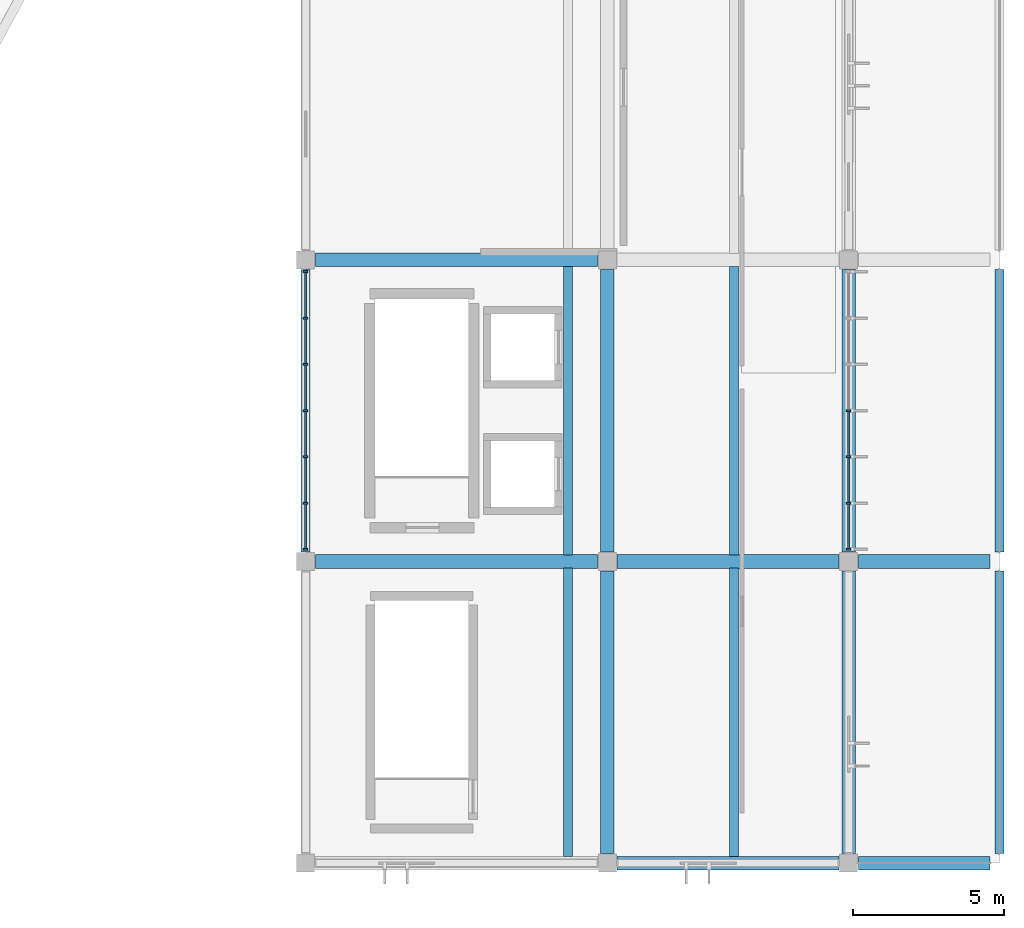
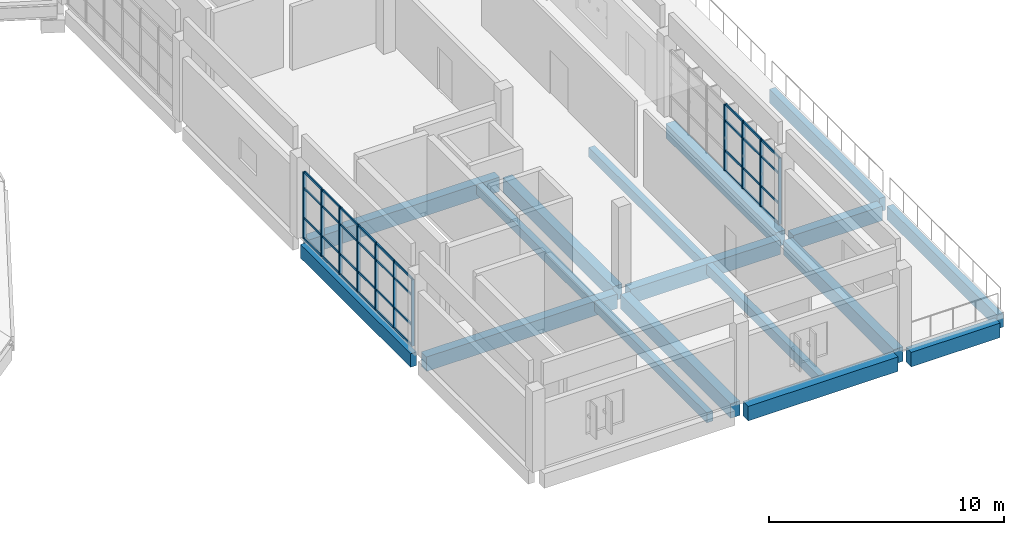
# One storey, part 8 of 39: 47 members, 17 beams, 2 elements without a shape of their own.
"""IFC4 building model written with IfcOpenShell, lengths in metres."""

from ifc_helpers import new_model, si_unit, direction, frame, origin, origin_2d, place, context, subcontext, project, spatial, rectangle, extrude, material, layer, layer_set, material_profile, profile_set, type_object, element, aggregate, save


model = new_model("IFC4")

# Units and contexts
model_context = context("Model", 3, precision=1e-05, world=origin(), true_north=direction((0.0, 1.0)))
body_context = subcontext(model_context, "Body", "Model", "MODEL_VIEW")
ifc_project = project(units=[si_unit("LENGTHUNIT", "METRE"), si_unit("AREAUNIT", "SQUARE_METRE"), si_unit("VOLUMEUNIT", "CUBIC_METRE"), si_unit("PLANEANGLEUNIT", "RADIAN"), si_unit("MASSUNIT", "GRAM", prefix="KILO")], contexts=[model_context])

# Site, building, storey
site_placement = place(None, origin())
site = spatial("IfcSite", under=ifc_project, at=site_placement, CompositionType="ELEMENT")
building_placement = place(site_placement, origin())
building = spatial("IfcBuilding", under=site, at=building_placement, Name="Corvandel Quay Wholesale Market", CompositionType="ELEMENT")
storey_placement = place(building_placement, frame((0.0, 0.0, 15.0)))
storey = spatial("IfcBuildingStorey", under=building, at=storey_placement, Name="L03", CompositionType="ELEMENT", Elevation=15.0)

# Curtain wall, members
ifc_material_1 = material(Name="Bronze anodised aluminium and low-E insulated glazing", Category="aluminium")
ifc_layer_1 = layer(ifc_material_1, 0.197998046875)
ifc_layer_set_1 = layer_set([ifc_layer_1], Name="Bronze anodised aluminium and low-E insulated glazing")
curtain_wall_type_1 = type_object("IfcCurtainWallType", Name="Stick Curtain Wall System CW14 H4260", PredefinedType="NOTDEFINED", material=ifc_layer_set_1)
curtain_wall_1_placement = place(storey_placement, origin())
curtain_wall_1 = element("IfcCurtainWall", 1, at=curtain_wall_1_placement, inside=storey, type_object=curtain_wall_type_1, Name="Curtain Wall CW-0162", PredefinedType="NOTDEFINED")
ifc_material_2 = material(Name="Anodised aluminium 6063-T6", Category="aluminium")
ifc_material_profile_1 = material_profile(ifc_material_2, rectangle(XDim=0.06494140625, YDim=0.14990234375, at=origin_2d()), Name="ALU-MUL-65x150")
ifc_profile_set_1 = profile_set([ifc_material_profile_1], Name="Anodised aluminium 6063-T6")
member_type_1 = type_object("IfcMemberType", Name="Curtain Wall Mullion ML02 65x150", PredefinedType="MULLION", material=ifc_profile_set_1)
member_1_placement = place(storey_placement, frame((238.0, 20.39990234375, 0.0), z_axis=(0.0, 0.0, 1.0), x_axis=(0.0, 1.0, 0.0)))
member_1 = element("IfcMember", 2, at=member_1_placement, type_object=member_type_1, Name="Mullion CW-0162-M00", PredefinedType="MULLION", context=body_context, shape_type="SweptSolid", body=[
    extrude(rectangle(XDim=0.06494140625, YDim=0.14990234375, at=origin_2d()), origin(), (0.0, 0.0, 1.0), 3.449951171875),
])
member_2_placement = place(storey_placement, frame((238.0, 21.933349609375, 0.0), z_axis=(0.0, 0.0, 1.0), x_axis=(0.0, 1.0, 0.0)))
member_2 = element("IfcMember", 3, at=member_2_placement, type_object=member_type_1, Name="Mullion CW-0162-M01", PredefinedType="MULLION", context=body_context, shape_type="SweptSolid", body=[
    extrude(rectangle(XDim=0.06494140625, YDim=0.14990234375, at=origin_2d()), origin(), (0.0, 0.0, 1.0), 3.449951171875),
])
member_3_placement = place(storey_placement, frame((238.0, 23.466796875, 0.0), z_axis=(0.0, 0.0, 1.0), x_axis=(0.0, 1.0, 0.0)))
member_3 = element("IfcMember", 4, at=member_3_placement, type_object=member_type_1, Name="Mullion CW-0162-M02", PredefinedType="MULLION", context=body_context, shape_type="SweptSolid", body=[
    extrude(rectangle(XDim=0.06494140625, YDim=0.14990234375, at=origin_2d()), origin(), (0.0, 0.0, 1.0), 3.449951171875),
])
member_4_placement = place(storey_placement, frame((238.0, 25.0, 0.0), z_axis=(0.0, 0.0, 1.0), x_axis=(0.0, 1.0, 0.0)))
member_4 = element("IfcMember", 5, at=member_4_placement, type_object=member_type_1, Name="Mullion CW-0162-M03", PredefinedType="MULLION", context=body_context, shape_type="SweptSolid", body=[
    extrude(rectangle(XDim=0.06494140625, YDim=0.14990234375, at=origin_2d()), origin(), (0.0, 0.0, 1.0), 3.449951171875),
])

ifc_layer_2 = layer(ifc_material_1, 0.14990234375)
ifc_layer_set_2 = layer_set([ifc_layer_2], Name="Bronze anodised aluminium and low-E insulated glazing")
curtain_wall_type_2 = type_object("IfcCurtainWallType", Name="Stick Curtain Wall System CW20 H4800", PredefinedType="NOTDEFINED", material=ifc_layer_set_2)
curtain_wall_2_placement = place(storey_placement, origin())
curtain_wall_2 = element("IfcCurtainWall", 6, at=curtain_wall_2_placement, inside=storey, type_object=curtain_wall_type_2, Name="Curtain Wall CW-0163", PredefinedType="NOTDEFINED")
member_5_placement = place(storey_placement, frame((220.0, 20.39990234375, 0.0), z_axis=(0.0, 0.0, 1.0), x_axis=(0.0, 1.0, 0.0)))
member_5 = element("IfcMember", 7, at=member_5_placement, type_object=member_type_1, Name="Mullion CW-0163-M00", PredefinedType="MULLION", context=body_context, shape_type="SweptSolid", body=[
    extrude(rectangle(XDim=0.06494140625, YDim=0.14990234375, at=origin_2d()), origin(), (0.0, 0.0, 1.0), 3.449951171875),
])
member_6_placement = place(storey_placement, frame((220.0, 21.933349609375, 0.0), z_axis=(0.0, 0.0, 1.0), x_axis=(0.0, 1.0, 0.0)))
member_6 = element("IfcMember", 8, at=member_6_placement, type_object=member_type_1, Name="Mullion CW-0163-M01", PredefinedType="MULLION", context=body_context, shape_type="SweptSolid", body=[
    extrude(rectangle(XDim=0.06494140625, YDim=0.14990234375, at=origin_2d()), origin(), (0.0, 0.0, 1.0), 3.449951171875),
])
member_7_placement = place(storey_placement, frame((220.0, 23.466796875, 0.0), z_axis=(0.0, 0.0, 1.0), x_axis=(0.0, 1.0, 0.0)))
member_7 = element("IfcMember", 9, at=member_7_placement, type_object=member_type_1, Name="Mullion CW-0163-M02", PredefinedType="MULLION", context=body_context, shape_type="SweptSolid", body=[
    extrude(rectangle(XDim=0.06494140625, YDim=0.14990234375, at=origin_2d()), origin(), (0.0, 0.0, 1.0), 3.449951171875),
])
member_8_placement = place(storey_placement, frame((220.0, 25.0, 0.0), z_axis=(0.0, 0.0, 1.0), x_axis=(0.0, 1.0, 0.0)))
member_8 = element("IfcMember", 10, at=member_8_placement, type_object=member_type_1, Name="Mullion CW-0163-M03", PredefinedType="MULLION", context=body_context, shape_type="SweptSolid", body=[
    extrude(rectangle(XDim=0.06494140625, YDim=0.14990234375, at=origin_2d()), origin(), (0.0, 0.0, 1.0), 3.449951171875),
])
member_9_placement = place(storey_placement, frame((220.0, 26.533203125, 0.0), z_axis=(0.0, 0.0, 1.0), x_axis=(0.0, 1.0, 0.0)))
member_9 = element("IfcMember", 11, at=member_9_placement, type_object=member_type_1, Name="Mullion CW-0163-M04", PredefinedType="MULLION", context=body_context, shape_type="SweptSolid", body=[
    extrude(rectangle(XDim=0.06494140625, YDim=0.14990234375, at=origin_2d()), origin(), (0.0, 0.0, 1.0), 3.449951171875),
])
member_10_placement = place(storey_placement, frame((220.0, 28.066650390625, 0.0), z_axis=(0.0, 0.0, 1.0), x_axis=(0.0, 1.0, 0.0)))
member_10 = element("IfcMember", 12, at=member_10_placement, type_object=member_type_1, Name="Mullion CW-0163-M05", PredefinedType="MULLION", context=body_context, shape_type="SweptSolid", body=[
    extrude(rectangle(XDim=0.06494140625, YDim=0.14990234375, at=origin_2d()), origin(), (0.0, 0.0, 1.0), 3.449951171875),
])
member_11_placement = place(storey_placement, frame((220.0, 29.60009765625, 0.0), z_axis=(0.0, 0.0, 1.0), x_axis=(0.0, 1.0, 0.0)))
member_11 = element("IfcMember", 13, at=member_11_placement, type_object=member_type_1, Name="Mullion CW-0163-M06", PredefinedType="MULLION", context=body_context, shape_type="SweptSolid", body=[
    extrude(rectangle(XDim=0.06494140625, YDim=0.14990234375, at=origin_2d()), origin(), (0.0, 0.0, 1.0), 3.449951171875),
])

# Member
ifc_material_profile_2 = material_profile(ifc_material_2, rectangle(XDim=0.06005859375, YDim=0.110107421875, at=origin_2d()), Name="ALU-TRN-60x110")
ifc_profile_set_2 = profile_set([ifc_material_profile_2], Name="Anodised aluminium 6063-T6")
member_type_2 = type_object("IfcMemberType", Name="Curtain Wall Transom TR02 60x110", PredefinedType="USERDEFINED", material=ifc_profile_set_2)
member_12_placement = place(storey_placement, frame((238.0, 20.4326171875, 0.0), z_axis=(0.0, 1.0, 0.0), x_axis=(-1.0, 0.0, 0.0)))
member_12 = element("IfcMember", 14, at=member_12_placement, type_object=member_type_2, Name="Transom CW-0162-T00-0", ObjectType="TRANSOM", PredefinedType="USERDEFINED", context=body_context, shape_type="SweptSolid", body=[
    extrude(rectangle(XDim=0.06005859375, YDim=0.110107421875, at=origin_2d()), origin(), (0.0, 0.0, 1.0), 1.46826171875),
])

member_13_placement = place(storey_placement, frame((238.0, 20.4326171875, 1.050048828125), z_axis=(0.0, 1.0, 0.0), x_axis=(-1.0, 0.0, 0.0)))
member_13 = element("IfcMember", 15, at=member_13_placement, type_object=member_type_2, Name="Transom CW-0162-T00-1", ObjectType="TRANSOM", PredefinedType="USERDEFINED", context=body_context, shape_type="SweptSolid", body=[
    extrude(rectangle(XDim=0.06005859375, YDim=0.110107421875, at=origin_2d()), origin(), (0.0, 0.0, 1.0), 1.46826171875),
])

member_14_placement = place(storey_placement, frame((238.0, 20.4326171875, 2.60009765625), z_axis=(0.0, 1.0, 0.0), x_axis=(-1.0, 0.0, 0.0)))
member_14 = element("IfcMember", 16, at=member_14_placement, type_object=member_type_2, Name="Transom CW-0162-T00-2", ObjectType="TRANSOM", PredefinedType="USERDEFINED", context=body_context, shape_type="SweptSolid", body=[
    extrude(rectangle(XDim=0.06005859375, YDim=0.110107421875, at=origin_2d()), origin(), (0.0, 0.0, 1.0), 1.46826171875),
])

member_15_placement = place(storey_placement, frame((238.0, 20.4326171875, 3.449951171875), z_axis=(0.0, 1.0, 0.0), x_axis=(-1.0, 0.0, 0.0)))
member_15 = element("IfcMember", 17, at=member_15_placement, type_object=member_type_2, Name="Transom CW-0162-T00-3", ObjectType="TRANSOM", PredefinedType="USERDEFINED", context=body_context, shape_type="SweptSolid", body=[
    extrude(rectangle(XDim=0.06005859375, YDim=0.110107421875, at=origin_2d()), origin(), (0.0, 0.0, 1.0), 1.46826171875),
])

member_16_placement = place(storey_placement, frame((238.0, 21.9658203125, 0.0), z_axis=(0.0, 1.0, 0.0), x_axis=(-1.0, 0.0, 0.0)))
member_16 = element("IfcMember", 18, at=member_16_placement, type_object=member_type_2, Name="Transom CW-0162-T01-0", ObjectType="TRANSOM", PredefinedType="USERDEFINED", context=body_context, shape_type="SweptSolid", body=[
    extrude(rectangle(XDim=0.06005859375, YDim=0.110107421875, at=origin_2d()), origin(), (0.0, 0.0, 1.0), 1.46826171875),
])

member_17_placement = place(storey_placement, frame((238.0, 21.9658203125, 1.050048828125), z_axis=(0.0, 1.0, 0.0), x_axis=(-1.0, 0.0, 0.0)))
member_17 = element("IfcMember", 19, at=member_17_placement, type_object=member_type_2, Name="Transom CW-0162-T01-1", ObjectType="TRANSOM", PredefinedType="USERDEFINED", context=body_context, shape_type="SweptSolid", body=[
    extrude(rectangle(XDim=0.06005859375, YDim=0.110107421875, at=origin_2d()), origin(), (0.0, 0.0, 1.0), 1.46826171875),
])

member_18_placement = place(storey_placement, frame((238.0, 21.9658203125, 2.60009765625), z_axis=(0.0, 1.0, 0.0), x_axis=(-1.0, 0.0, 0.0)))
member_18 = element("IfcMember", 20, at=member_18_placement, type_object=member_type_2, Name="Transom CW-0162-T01-2", ObjectType="TRANSOM", PredefinedType="USERDEFINED", context=body_context, shape_type="SweptSolid", body=[
    extrude(rectangle(XDim=0.06005859375, YDim=0.110107421875, at=origin_2d()), origin(), (0.0, 0.0, 1.0), 1.46826171875),
])

member_19_placement = place(storey_placement, frame((238.0, 21.9658203125, 3.449951171875), z_axis=(0.0, 1.0, 0.0), x_axis=(-1.0, 0.0, 0.0)))
member_19 = element("IfcMember", 21, at=member_19_placement, type_object=member_type_2, Name="Transom CW-0162-T01-3", ObjectType="TRANSOM", PredefinedType="USERDEFINED", context=body_context, shape_type="SweptSolid", body=[
    extrude(rectangle(XDim=0.06005859375, YDim=0.110107421875, at=origin_2d()), origin(), (0.0, 0.0, 1.0), 1.46826171875),
])

member_20_placement = place(storey_placement, frame((238.0, 23.499267578125, 0.0), z_axis=(0.0, 1.0, 0.0), x_axis=(-1.0, 0.0, 0.0)))
member_20 = element("IfcMember", 22, at=member_20_placement, type_object=member_type_2, Name="Transom CW-0162-T02-0", ObjectType="TRANSOM", PredefinedType="USERDEFINED", context=body_context, shape_type="SweptSolid", body=[
    extrude(rectangle(XDim=0.06005859375, YDim=0.110107421875, at=origin_2d()), origin(), (0.0, 0.0, 1.0), 1.46826171875),
])

member_21_placement = place(storey_placement, frame((238.0, 23.499267578125, 1.050048828125), z_axis=(0.0, 1.0, 0.0), x_axis=(-1.0, 0.0, 0.0)))
member_21 = element("IfcMember", 23, at=member_21_placement, type_object=member_type_2, Name="Transom CW-0162-T02-1", ObjectType="TRANSOM", PredefinedType="USERDEFINED", context=body_context, shape_type="SweptSolid", body=[
    extrude(rectangle(XDim=0.06005859375, YDim=0.110107421875, at=origin_2d()), origin(), (0.0, 0.0, 1.0), 1.46826171875),
])

member_22_placement = place(storey_placement, frame((238.0, 23.499267578125, 2.60009765625), z_axis=(0.0, 1.0, 0.0), x_axis=(-1.0, 0.0, 0.0)))
member_22 = element("IfcMember", 24, at=member_22_placement, type_object=member_type_2, Name="Transom CW-0162-T02-2", ObjectType="TRANSOM", PredefinedType="USERDEFINED", context=body_context, shape_type="SweptSolid", body=[
    extrude(rectangle(XDim=0.06005859375, YDim=0.110107421875, at=origin_2d()), origin(), (0.0, 0.0, 1.0), 1.46826171875),
])

member_23_placement = place(storey_placement, frame((238.0, 23.499267578125, 3.449951171875), z_axis=(0.0, 1.0, 0.0), x_axis=(-1.0, 0.0, 0.0)))
member_23 = element("IfcMember", 25, at=member_23_placement, type_object=member_type_2, Name="Transom CW-0162-T02-3", ObjectType="TRANSOM", PredefinedType="USERDEFINED", context=body_context, shape_type="SweptSolid", body=[
    extrude(rectangle(XDim=0.06005859375, YDim=0.110107421875, at=origin_2d()), origin(), (0.0, 0.0, 1.0), 1.46826171875),
])

aggregate(curtain_wall_1, [member_1, member_2, member_3, member_4, member_12, member_13, member_14, member_15, member_16, member_17, member_18, member_19, member_20, member_21, member_22, member_23])

member_24_placement = place(storey_placement, frame((220.0, 20.4326171875, 0.0), z_axis=(0.0, 1.0, 0.0), x_axis=(-1.0, 0.0, 0.0)))
member_24 = element("IfcMember", 26, at=member_24_placement, type_object=member_type_2, Name="Transom CW-0163-T00-0", ObjectType="TRANSOM", PredefinedType="USERDEFINED", context=body_context, shape_type="SweptSolid", body=[
    extrude(rectangle(XDim=0.06005859375, YDim=0.110107421875, at=origin_2d()), origin(), (0.0, 0.0, 1.0), 1.46826171875),
])

member_25_placement = place(storey_placement, frame((220.0, 20.4326171875, 1.050048828125), z_axis=(0.0, 1.0, 0.0), x_axis=(-1.0, 0.0, 0.0)))
member_25 = element("IfcMember", 27, at=member_25_placement, type_object=member_type_2, Name="Transom CW-0163-T00-1", ObjectType="TRANSOM", PredefinedType="USERDEFINED", context=body_context, shape_type="SweptSolid", body=[
    extrude(rectangle(XDim=0.06005859375, YDim=0.110107421875, at=origin_2d()), origin(), (0.0, 0.0, 1.0), 1.46826171875),
])

member_26_placement = place(storey_placement, frame((220.0, 20.4326171875, 2.60009765625), z_axis=(0.0, 1.0, 0.0), x_axis=(-1.0, 0.0, 0.0)))
member_26 = element("IfcMember", 28, at=member_26_placement, type_object=member_type_2, Name="Transom CW-0163-T00-2", ObjectType="TRANSOM", PredefinedType="USERDEFINED", context=body_context, shape_type="SweptSolid", body=[
    extrude(rectangle(XDim=0.06005859375, YDim=0.110107421875, at=origin_2d()), origin(), (0.0, 0.0, 1.0), 1.46826171875),
])

member_27_placement = place(storey_placement, frame((220.0, 20.4326171875, 3.449951171875), z_axis=(0.0, 1.0, 0.0), x_axis=(-1.0, 0.0, 0.0)))
member_27 = element("IfcMember", 29, at=member_27_placement, type_object=member_type_2, Name="Transom CW-0163-T00-3", ObjectType="TRANSOM", PredefinedType="USERDEFINED", context=body_context, shape_type="SweptSolid", body=[
    extrude(rectangle(XDim=0.06005859375, YDim=0.110107421875, at=origin_2d()), origin(), (0.0, 0.0, 1.0), 1.46826171875),
])

member_28_placement = place(storey_placement, frame((220.0, 21.9658203125, 0.0), z_axis=(0.0, 1.0, 0.0), x_axis=(-1.0, 0.0, 0.0)))
member_28 = element("IfcMember", 30, at=member_28_placement, type_object=member_type_2, Name="Transom CW-0163-T01-0", ObjectType="TRANSOM", PredefinedType="USERDEFINED", context=body_context, shape_type="SweptSolid", body=[
    extrude(rectangle(XDim=0.06005859375, YDim=0.110107421875, at=origin_2d()), origin(), (0.0, 0.0, 1.0), 1.46826171875),
])

member_29_placement = place(storey_placement, frame((220.0, 21.9658203125, 1.050048828125), z_axis=(0.0, 1.0, 0.0), x_axis=(-1.0, 0.0, 0.0)))
member_29 = element("IfcMember", 31, at=member_29_placement, type_object=member_type_2, Name="Transom CW-0163-T01-1", ObjectType="TRANSOM", PredefinedType="USERDEFINED", context=body_context, shape_type="SweptSolid", body=[
    extrude(rectangle(XDim=0.06005859375, YDim=0.110107421875, at=origin_2d()), origin(), (0.0, 0.0, 1.0), 1.46826171875),
])

member_30_placement = place(storey_placement, frame((220.0, 21.9658203125, 2.60009765625), z_axis=(0.0, 1.0, 0.0), x_axis=(-1.0, 0.0, 0.0)))
member_30 = element("IfcMember", 32, at=member_30_placement, type_object=member_type_2, Name="Transom CW-0163-T01-2", ObjectType="TRANSOM", PredefinedType="USERDEFINED", context=body_context, shape_type="SweptSolid", body=[
    extrude(rectangle(XDim=0.06005859375, YDim=0.110107421875, at=origin_2d()), origin(), (0.0, 0.0, 1.0), 1.46826171875),
])

member_31_placement = place(storey_placement, frame((220.0, 21.9658203125, 3.449951171875), z_axis=(0.0, 1.0, 0.0), x_axis=(-1.0, 0.0, 0.0)))
member_31 = element("IfcMember", 33, at=member_31_placement, type_object=member_type_2, Name="Transom CW-0163-T01-3", ObjectType="TRANSOM", PredefinedType="USERDEFINED", context=body_context, shape_type="SweptSolid", body=[
    extrude(rectangle(XDim=0.06005859375, YDim=0.110107421875, at=origin_2d()), origin(), (0.0, 0.0, 1.0), 1.46826171875),
])

member_32_placement = place(storey_placement, frame((220.0, 23.499267578125, 0.0), z_axis=(0.0, 1.0, 0.0), x_axis=(-1.0, 0.0, 0.0)))
member_32 = element("IfcMember", 34, at=member_32_placement, type_object=member_type_2, Name="Transom CW-0163-T02-0", ObjectType="TRANSOM", PredefinedType="USERDEFINED", context=body_context, shape_type="SweptSolid", body=[
    extrude(rectangle(XDim=0.06005859375, YDim=0.110107421875, at=origin_2d()), origin(), (0.0, 0.0, 1.0), 1.46826171875),
])

member_33_placement = place(storey_placement, frame((220.0, 23.499267578125, 1.050048828125), z_axis=(0.0, 1.0, 0.0), x_axis=(-1.0, 0.0, 0.0)))
member_33 = element("IfcMember", 35, at=member_33_placement, type_object=member_type_2, Name="Transom CW-0163-T02-1", ObjectType="TRANSOM", PredefinedType="USERDEFINED", context=body_context, shape_type="SweptSolid", body=[
    extrude(rectangle(XDim=0.06005859375, YDim=0.110107421875, at=origin_2d()), origin(), (0.0, 0.0, 1.0), 1.46826171875),
])

member_34_placement = place(storey_placement, frame((220.0, 23.499267578125, 2.60009765625), z_axis=(0.0, 1.0, 0.0), x_axis=(-1.0, 0.0, 0.0)))
member_34 = element("IfcMember", 36, at=member_34_placement, type_object=member_type_2, Name="Transom CW-0163-T02-2", ObjectType="TRANSOM", PredefinedType="USERDEFINED", context=body_context, shape_type="SweptSolid", body=[
    extrude(rectangle(XDim=0.06005859375, YDim=0.110107421875, at=origin_2d()), origin(), (0.0, 0.0, 1.0), 1.46826171875),
])

member_35_placement = place(storey_placement, frame((220.0, 23.499267578125, 3.449951171875), z_axis=(0.0, 1.0, 0.0), x_axis=(-1.0, 0.0, 0.0)))
member_35 = element("IfcMember", 37, at=member_35_placement, type_object=member_type_2, Name="Transom CW-0163-T02-3", ObjectType="TRANSOM", PredefinedType="USERDEFINED", context=body_context, shape_type="SweptSolid", body=[
    extrude(rectangle(XDim=0.06005859375, YDim=0.110107421875, at=origin_2d()), origin(), (0.0, 0.0, 1.0), 1.46826171875),
])

member_36_placement = place(storey_placement, frame((220.0, 25.032470703125, 0.0), z_axis=(0.0, 1.0, 0.0), x_axis=(-1.0, 0.0, 0.0)))
member_36 = element("IfcMember", 38, at=member_36_placement, type_object=member_type_2, Name="Transom CW-0163-T03-0", ObjectType="TRANSOM", PredefinedType="USERDEFINED", context=body_context, shape_type="SweptSolid", body=[
    extrude(rectangle(XDim=0.06005859375, YDim=0.110107421875, at=origin_2d()), origin(), (0.0, 0.0, 1.0), 1.46826171875),
])

member_37_placement = place(storey_placement, frame((220.0, 25.032470703125, 1.050048828125), z_axis=(0.0, 1.0, 0.0), x_axis=(-1.0, 0.0, 0.0)))
member_37 = element("IfcMember", 39, at=member_37_placement, type_object=member_type_2, Name="Transom CW-0163-T03-1", ObjectType="TRANSOM", PredefinedType="USERDEFINED", context=body_context, shape_type="SweptSolid", body=[
    extrude(rectangle(XDim=0.06005859375, YDim=0.110107421875, at=origin_2d()), origin(), (0.0, 0.0, 1.0), 1.46826171875),
])

member_38_placement = place(storey_placement, frame((220.0, 25.032470703125, 2.60009765625), z_axis=(0.0, 1.0, 0.0), x_axis=(-1.0, 0.0, 0.0)))
member_38 = element("IfcMember", 40, at=member_38_placement, type_object=member_type_2, Name="Transom CW-0163-T03-2", ObjectType="TRANSOM", PredefinedType="USERDEFINED", context=body_context, shape_type="SweptSolid", body=[
    extrude(rectangle(XDim=0.06005859375, YDim=0.110107421875, at=origin_2d()), origin(), (0.0, 0.0, 1.0), 1.46826171875),
])

member_39_placement = place(storey_placement, frame((220.0, 25.032470703125, 3.449951171875), z_axis=(0.0, 1.0, 0.0), x_axis=(-1.0, 0.0, 0.0)))
member_39 = element("IfcMember", 41, at=member_39_placement, type_object=member_type_2, Name="Transom CW-0163-T03-3", ObjectType="TRANSOM", PredefinedType="USERDEFINED", context=body_context, shape_type="SweptSolid", body=[
    extrude(rectangle(XDim=0.06005859375, YDim=0.110107421875, at=origin_2d()), origin(), (0.0, 0.0, 1.0), 1.46826171875),
])

member_40_placement = place(storey_placement, frame((220.0, 26.56591796875, 0.0), z_axis=(0.0, 1.0, 0.0), x_axis=(-1.0, 0.0, 0.0)))
member_40 = element("IfcMember", 42, at=member_40_placement, type_object=member_type_2, Name="Transom CW-0163-T04-0", ObjectType="TRANSOM", PredefinedType="USERDEFINED", context=body_context, shape_type="SweptSolid", body=[
    extrude(rectangle(XDim=0.06005859375, YDim=0.110107421875, at=origin_2d()), origin(), (0.0, 0.0, 1.0), 1.46826171875),
])

member_41_placement = place(storey_placement, frame((220.0, 26.56591796875, 1.050048828125), z_axis=(0.0, 1.0, 0.0), x_axis=(-1.0, 0.0, 0.0)))
member_41 = element("IfcMember", 43, at=member_41_placement, type_object=member_type_2, Name="Transom CW-0163-T04-1", ObjectType="TRANSOM", PredefinedType="USERDEFINED", context=body_context, shape_type="SweptSolid", body=[
    extrude(rectangle(XDim=0.06005859375, YDim=0.110107421875, at=origin_2d()), origin(), (0.0, 0.0, 1.0), 1.46826171875),
])

member_42_placement = place(storey_placement, frame((220.0, 26.56591796875, 2.60009765625), z_axis=(0.0, 1.0, 0.0), x_axis=(-1.0, 0.0, 0.0)))
member_42 = element("IfcMember", 44, at=member_42_placement, type_object=member_type_2, Name="Transom CW-0163-T04-2", ObjectType="TRANSOM", PredefinedType="USERDEFINED", context=body_context, shape_type="SweptSolid", body=[
    extrude(rectangle(XDim=0.06005859375, YDim=0.110107421875, at=origin_2d()), origin(), (0.0, 0.0, 1.0), 1.46826171875),
])

member_43_placement = place(storey_placement, frame((220.0, 26.56591796875, 3.449951171875), z_axis=(0.0, 1.0, 0.0), x_axis=(-1.0, 0.0, 0.0)))
member_43 = element("IfcMember", 45, at=member_43_placement, type_object=member_type_2, Name="Transom CW-0163-T04-3", ObjectType="TRANSOM", PredefinedType="USERDEFINED", context=body_context, shape_type="SweptSolid", body=[
    extrude(rectangle(XDim=0.06005859375, YDim=0.110107421875, at=origin_2d()), origin(), (0.0, 0.0, 1.0), 1.46826171875),
])

member_44_placement = place(storey_placement, frame((220.0, 28.09912109375, 0.0), z_axis=(0.0, 1.0, 0.0), x_axis=(-1.0, 0.0, 0.0)))
member_44 = element("IfcMember", 46, at=member_44_placement, type_object=member_type_2, Name="Transom CW-0163-T05-0", ObjectType="TRANSOM", PredefinedType="USERDEFINED", context=body_context, shape_type="SweptSolid", body=[
    extrude(rectangle(XDim=0.06005859375, YDim=0.110107421875, at=origin_2d()), origin(), (0.0, 0.0, 1.0), 1.46826171875),
])

member_45_placement = place(storey_placement, frame((220.0, 28.09912109375, 1.050048828125), z_axis=(0.0, 1.0, 0.0), x_axis=(-1.0, 0.0, 0.0)))
member_45 = element("IfcMember", 47, at=member_45_placement, type_object=member_type_2, Name="Transom CW-0163-T05-1", ObjectType="TRANSOM", PredefinedType="USERDEFINED", context=body_context, shape_type="SweptSolid", body=[
    extrude(rectangle(XDim=0.06005859375, YDim=0.110107421875, at=origin_2d()), origin(), (0.0, 0.0, 1.0), 1.46826171875),
])

member_46_placement = place(storey_placement, frame((220.0, 28.09912109375, 2.60009765625), z_axis=(0.0, 1.0, 0.0), x_axis=(-1.0, 0.0, 0.0)))
member_46 = element("IfcMember", 48, at=member_46_placement, type_object=member_type_2, Name="Transom CW-0163-T05-2", ObjectType="TRANSOM", PredefinedType="USERDEFINED", context=body_context, shape_type="SweptSolid", body=[
    extrude(rectangle(XDim=0.06005859375, YDim=0.110107421875, at=origin_2d()), origin(), (0.0, 0.0, 1.0), 1.46826171875),
])

member_47_placement = place(storey_placement, frame((220.0, 28.09912109375, 3.449951171875), z_axis=(0.0, 1.0, 0.0), x_axis=(-1.0, 0.0, 0.0)))
member_47 = element("IfcMember", 49, at=member_47_placement, type_object=member_type_2, Name="Transom CW-0163-T05-3", ObjectType="TRANSOM", PredefinedType="USERDEFINED", context=body_context, shape_type="SweptSolid", body=[
    extrude(rectangle(XDim=0.06005859375, YDim=0.110107421875, at=origin_2d()), origin(), (0.0, 0.0, 1.0), 1.46826171875),
])

aggregate(curtain_wall_2, [member_5, member_6, member_7, member_8, member_9, member_10, member_11, member_24, member_25, member_26, member_27, member_28, member_29, member_30, member_31, member_32, member_33, member_34, member_35, member_36, member_37, member_38, member_39, member_40, member_41, member_42, member_43, member_44, member_45, member_46, member_47])

# Beams
ifc_material_3 = material(Name="Precast concrete C45/55", Category="concrete")
ifc_material_profile_3 = material_profile(ifc_material_3, rectangle(XDim=0.300048828125, YDim=0.5, at=origin_2d()), Name="PC-BM-300x500")
ifc_profile_set_3 = profile_set([ifc_material_profile_3], Name="Precast concrete C45/55")
beam_type_1 = type_object("IfcBeamType", Name="Office Floor Secondary Beam B04 300x500", PredefinedType="BEAM", material=ifc_profile_set_3)
for number, where, z_axis, x_axis, name in (
    (50, (228.699951171875, 10.215087890625, -0.570068359375), (0.0, 1.0, 0.0), (-1.0, 0.0, 0.0), "Beam BM-1678"),
    (51, (234.199951171875, 10.215087890625, -0.570068359375), (0.0, 1.0, 0.0), (-1.0, 0.0, 0.0), "Beam BM-1679"),
    (52, (228.699951171875, 20.215087890625, -0.570068359375), (0.0, 1.0, 0.0), (-1.0, 0.0, 0.0), "Beam BM-1680"),
    (53, (234.199951171875, 20.215087890625, -0.570068359375), (0.0, 1.0, 0.0), (-1.0, 0.0, 0.0), "Beam BM-1681"),
):
    element("IfcBeam", number, at=place(storey_placement, frame(where, z_axis=z_axis, x_axis=x_axis)), inside=storey, type_object=beam_type_1, Name=name, PredefinedType="BEAM", context=body_context, shape_type="SweptSolid", body=[
        extrude(rectangle(XDim=0.300048828125, YDim=0.5, at=origin_2d()), origin(), (0.0, 0.0, 1.0), 9.56982421875),
    ])
ifc_material_profile_4 = material_profile(ifc_material_3, rectangle(XDim=0.300048828125, YDim=0.699951171875, at=origin_2d()), Name="PC-SPN-300x700")
ifc_profile_set_4 = profile_set([ifc_material_profile_4], Name="Precast concrete C45/55")
beam_type_2 = type_object("IfcBeamType", Name="Terrace Edge Spandrel SP03 300x700", PredefinedType="SPANDREL", material=ifc_profile_set_4)
for number, where, z_axis, x_axis, name in (
    (54, (220.0, 20.320068359375, -0.669921875), (0.0, 1.0, 0.0), (-1.0, 0.0, 0.0), "Beam BM-1643"),
    (55, (243.0, 10.320068359375, -0.669921875), (0.0, 1.0, 0.0), (-1.0, 0.0, 0.0), "Beam BM-1669"),
    (56, (243.0, 20.320068359375, -0.669921875), (0.0, 1.0, 0.0), (-1.0, 0.0, 0.0), "Beam BM-1670"),
):
    element("IfcBeam", number, at=place(storey_placement, frame(where, z_axis=z_axis, x_axis=x_axis)), inside=storey, type_object=beam_type_2, Name=name, PredefinedType="SPANDREL", context=body_context, shape_type="SweptSolid", body=[
        extrude(rectangle(XDim=0.300048828125, YDim=0.699951171875, at=origin_2d()), origin(), (0.0, 0.0, 1.0), 9.35986328125),
    ])
ifc_material_profile_5 = material_profile(ifc_material_3, rectangle(XDim=0.449951171875, YDim=0.75, at=origin_2d()), Name="PC-GIR-450x750")
ifc_profile_set_5 = profile_set([ifc_material_profile_5], Name="Precast concrete C45/55")
beam_type_3 = type_object("IfcBeamType", Name="Waterfront Office Girder G06 450x750", PredefinedType="USERDEFINED", material=ifc_profile_set_5)
beam_1_placement = place(storey_placement, frame((230.320068359375, 10.0, -0.695068359375), z_axis=(1.0, 0.0, 0.0), x_axis=(0.0, 1.0, 0.0)))
element("IfcBeam", 57, at=beam_1_placement, inside=storey, type_object=beam_type_3, Name="Beam BM-1613", ObjectType="GIRDER", PredefinedType="USERDEFINED", context=body_context, shape_type="SweptSolid", body=[
    extrude(rectangle(XDim=0.449951171875, YDim=0.75, at=origin_2d()), origin(), (0.0, 0.0, 1.0), 7.35986328125),
])
beam_2_placement = place(storey_placement, frame((238.320068359375, 10.0, -0.695068359375), z_axis=(1.0, 0.0, 0.0), x_axis=(0.0, 1.0, 0.0)))
element("IfcBeam", 58, at=beam_2_placement, inside=storey, type_object=beam_type_3, Name="Beam BM-1614", ObjectType="GIRDER", PredefinedType="USERDEFINED", context=body_context, shape_type="SweptSolid", body=[
    extrude(rectangle(XDim=0.449951171875, YDim=0.75, at=origin_2d()), origin(), (0.0, 0.0, 1.0), 4.35986328125),
])
beam_3_placement = place(storey_placement, frame((220.320068359375, 20.0, -0.695068359375), z_axis=(1.0, 0.0, 0.0), x_axis=(0.0, 1.0, 0.0)))
element("IfcBeam", 59, at=beam_3_placement, inside=storey, type_object=beam_type_3, Name="Beam BM-1615", ObjectType="GIRDER", PredefinedType="USERDEFINED", context=body_context, shape_type="SweptSolid", body=[
    extrude(rectangle(XDim=0.449951171875, YDim=0.75, at=origin_2d()), origin(), (0.0, 0.0, 1.0), 9.35986328125),
])
beam_4_placement = place(storey_placement, frame((230.320068359375, 20.0, -0.695068359375), z_axis=(1.0, 0.0, 0.0), x_axis=(0.0, 1.0, 0.0)))
element("IfcBeam", 60, at=beam_4_placement, inside=storey, type_object=beam_type_3, Name="Beam BM-1616", ObjectType="GIRDER", PredefinedType="USERDEFINED", context=body_context, shape_type="SweptSolid", body=[
    extrude(rectangle(XDim=0.449951171875, YDim=0.75, at=origin_2d()), origin(), (0.0, 0.0, 1.0), 7.35986328125),
])
beam_5_placement = place(storey_placement, frame((238.320068359375, 20.0, -0.695068359375), z_axis=(1.0, 0.0, 0.0), x_axis=(0.0, 1.0, 0.0)))
element("IfcBeam", 61, at=beam_5_placement, inside=storey, type_object=beam_type_3, Name="Beam BM-1617", ObjectType="GIRDER", PredefinedType="USERDEFINED", context=body_context, shape_type="SweptSolid", body=[
    extrude(rectangle(XDim=0.449951171875, YDim=0.75, at=origin_2d()), origin(), (0.0, 0.0, 1.0), 4.35986328125),
])
for number, where, z_axis, x_axis, name in (
    (62, (220.320068359375, 30.0, -0.695068359375), (1.0, 0.0, 0.0), (0.0, 1.0, 0.0), "Beam BM-1618"),
    (63, (230.0, 10.320068359375, -0.695068359375), (0.0, 1.0, 0.0), (-1.0, 0.0, 0.0), "Beam BM-1651"),
    (64, (230.0, 20.320068359375, -0.695068359375), (0.0, 1.0, 0.0), (-1.0, 0.0, 0.0), "Beam BM-1652"),
    (65, (238.0, 10.320068359375, -0.695068359375), (0.0, 1.0, 0.0), (-1.0, 0.0, 0.0), "Beam BM-1660"),
    (66, (238.0, 20.320068359375, -0.695068359375), (0.0, 1.0, 0.0), (-1.0, 0.0, 0.0), "Beam BM-1661"),
):
    element("IfcBeam", number, at=place(storey_placement, frame(where, z_axis=z_axis, x_axis=x_axis)), inside=storey, type_object=beam_type_3, Name=name, ObjectType="GIRDER", PredefinedType="USERDEFINED", context=body_context, shape_type="SweptSolid", body=[
        extrude(rectangle(XDim=0.449951171875, YDim=0.75, at=origin_2d()), origin(), (0.0, 0.0, 1.0), 9.35986328125),
    ])

save(model, "model.ifc")
